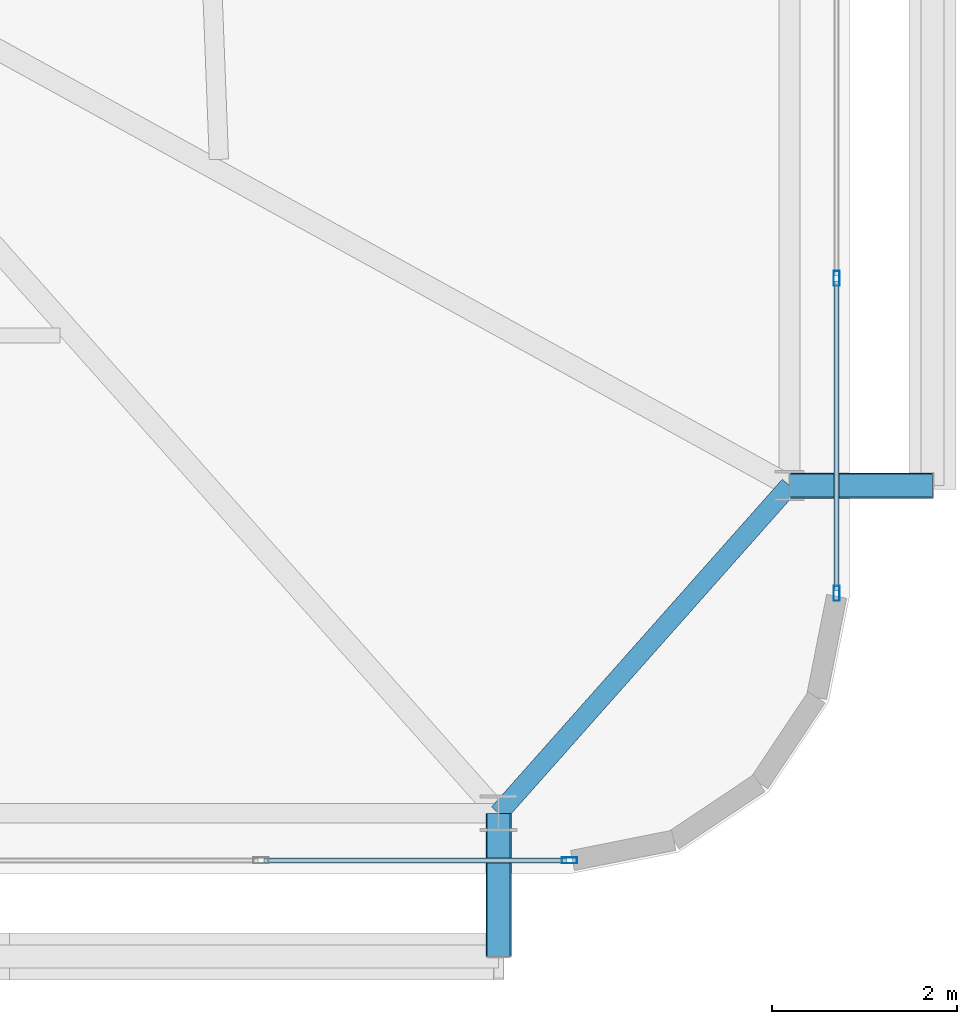
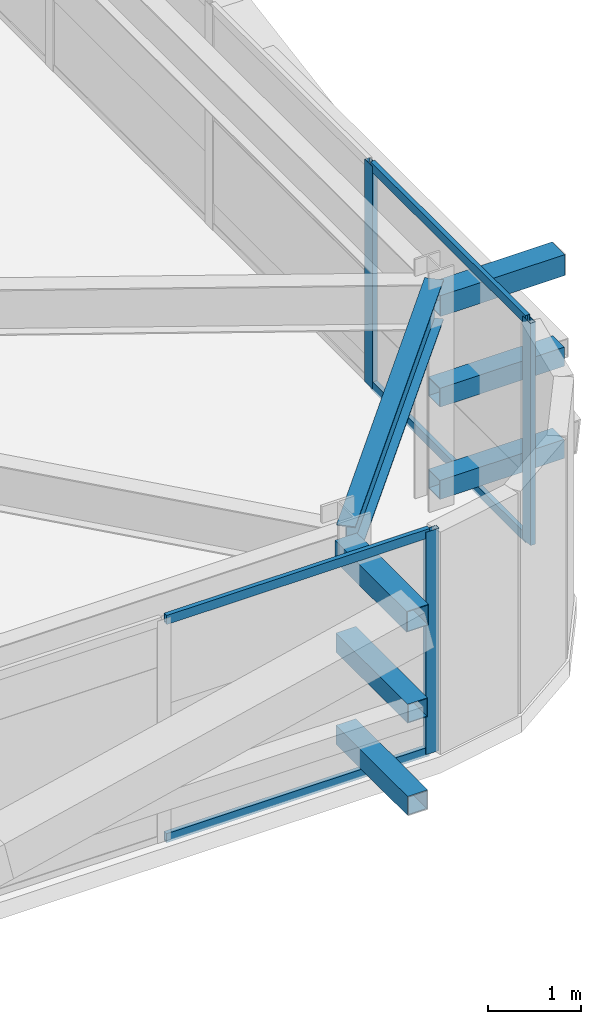
# One storey, part 24 of 59: 13 members, 1 beam, 2 elements without a shape of their own.
"""IFC4 building model written with IfcOpenShell, lengths in metres."""

from ifc_helpers import new_model, si_unit, direction, frame, origin, origin_2d, place, context, subcontext, project, spatial, hollow_rectangle, i_section, extrude, source, transform, mapped, material, layer, layer_set, material_profile, profile_set, type_object, element, aggregate, save


model = new_model("IFC4")

# Units and contexts
model_context = context("Model", 3, precision=1e-05, world=origin(), true_north=direction((0.0, 1.0)))
body_context = subcontext(model_context, "Body", "Model", "MODEL_VIEW")
ifc_project = project(units=[si_unit("LENGTHUNIT", "METRE"), si_unit("AREAUNIT", "SQUARE_METRE"), si_unit("VOLUMEUNIT", "CUBIC_METRE"), si_unit("PLANEANGLEUNIT", "RADIAN"), si_unit("MASSUNIT", "GRAM", prefix="KILO")], contexts=[model_context])

# Site, building, storey
site_placement = place(None, origin())
site = spatial("IfcSite", under=ifc_project, at=site_placement, CompositionType="ELEMENT")
building_placement = place(site_placement, origin())
building = spatial("IfcBuilding", under=site, at=building_placement, Name="Taldren Reach Tower", CompositionType="ELEMENT")
storey_placement = place(building_placement, frame((0.0, 0.0, 48.300048828125)))
storey = spatial("IfcBuildingStorey", under=building, at=storey_placement, Name="L14", CompositionType="ELEMENT", Elevation=48.300048828125)

# Beam
ifc_material_1 = material(Name="Steel Gr 350 (350PLUS)", Category="steel")
ifc_material_profile_1 = material_profile(ifc_material_1, i_section(OverallWidth=0.208984375, OverallDepth=0.528076171875, WebThickness=0.009521484375, FlangeThickness=0.01318359375, at=origin_2d()), Name="530UB82.0")
ifc_profile_set_1 = profile_set([ifc_material_profile_1], Name="Steel Gr 350 (350PLUS)")
beam_type = type_object("IfcBeamType", Name="SP-UB530B", PredefinedType="SPANDREL", material=ifc_profile_set_1)
shared_shape_1 = source(origin(), body_context, "Body", "SweptSolid", [
    extrude(i_section(OverallWidth=0.208984375, OverallDepth=0.528076171875, WebThickness=0.009521484375, FlangeThickness=0.01318359375, at=origin_2d()), origin(), (0.0, 0.0, 1.0), 4.74609375),
])
beam_placement = place(storey_placement, frame((61.199951171875, 2.14990234375, 2.666015625), z_axis=(0.663721843779, 0.747979487747, 0.0), x_axis=(-0.747979487747, 0.663721843779, 0.0)))
element("IfcBeam", 1, at=beam_placement, inside=storey, type_object=beam_type, Name="Perimeter spandrel B1 S6-E1 L14", PredefinedType="SPANDREL", context=body_context, shape_type="MappedRepresentation", body=[
    mapped(shared_shape_1, transform((0.0, 0.0, 0.0), scale=1.0)),
])

# Members
ifc_material_2 = material(Name="Steel Gr 450 (C450L0)", Category="steel")
ifc_material_profile_2 = material_profile(ifc_material_2, hollow_rectangle(XDim=0.27490234375, YDim=0.27490234375, WallThickness=0.00927734375, at=origin_2d()), Name="275x275x9.3SHS")
ifc_profile_set_2 = profile_set([ifc_material_profile_2], Name="Steel Gr 450 (C450L0)")
member_type_1 = type_object("IfcMemberType", Name="MB-TIE273", PredefinedType="STRUT", material=ifc_profile_set_2)
shared_shape_2 = source(origin(), body_context, "Body", "SweptSolid", [
    extrude(hollow_rectangle(XDim=0.27490234375, YDim=0.27490234375, WallThickness=0.00927734375, at=origin_2d()), origin(), (0.0, 0.0, 1.0), 1.5498046875),
])
for number, where, z_axis, x_axis, name in (
    (2, (61.199951171875, 2.14990234375, 2.64990234375), (0.0, -1.0, 0.0), (1.0, 0.0, 0.0), "Exoskeleton diaphragm tie strut B1-S6 L14"),
    (3, (64.35009765625, 5.699951171875, 2.64990234375), (1.0, 0.0, 0.0), (0.0, 1.0, 0.0), "Exoskeleton diaphragm tie strut B1-E1 L14"),
):
    element("IfcMember", number, at=place(storey_placement, frame(where, z_axis=z_axis, x_axis=x_axis)), inside=storey, type_object=member_type_1, Name=name, PredefinedType="STRUT", context=body_context, shape_type="MappedRepresentation", body=[
        mapped(shared_shape_2, transform((0.0, 0.0, 0.0), scale=1.0)),
    ])
ifc_material_3 = material(Name="Steel Gr 350 (C350L0)", Category="steel")
ifc_material_profile_3 = material_profile(ifc_material_3, hollow_rectangle(XDim=0.25, YDim=0.25, WallThickness=0.010009765625, at=origin_2d()), Name="250x250x10.0SHS")
ifc_profile_set_3 = profile_set([ifc_material_profile_3], Name="Steel Gr 350 (C350L0)")
member_type_2 = type_object("IfcMemberType", Name="MB-POST250", PredefinedType="POST", material=ifc_profile_set_3)
shared_shape_3 = source(origin(), body_context, "Body", "SweptSolid", [
    extrude(hollow_rectangle(XDim=0.25, YDim=0.25, WallThickness=0.010009765625, at=origin_2d()), origin(), (0.0, 0.0, 1.0), 1.5498046875),
])
for number, where, z_axis, x_axis, name in (
    (4, (61.199951171875, 2.14990234375, 0.219970703125), (0.0, -1.0, 0.0), (1.0, 0.0, 0.0), "Exoskeleton base diaphragm tie strut B1-S6 L14"),
    (5, (64.35009765625, 5.699951171875, 0.219970703125), (1.0, 0.0, 0.0), (0.0, 1.0, 0.0), "Exoskeleton base diaphragm tie strut B1-E1 L14"),
    (6, (61.199951171875, 2.14990234375, 1.43505859375), (0.0, -1.0, 0.0), (1.0, 0.0, 0.0), "Exoskeleton mid-tier diaphragm tie B1-S6 L14"),
    (7, (64.35009765625, 5.699951171875, 1.43505859375), (1.0, 0.0, 0.0), (0.0, 1.0, 0.0), "Exoskeleton mid-tier diaphragm tie B1-E1 L14"),
):
    element("IfcMember", number, at=place(storey_placement, frame(where, z_axis=z_axis, x_axis=x_axis)), inside=storey, type_object=member_type_2, Name=name, PredefinedType="POST", context=body_context, shape_type="MappedRepresentation", body=[
        mapped(shared_shape_3, transform((0.0, 0.0, 0.0), scale=1.0)),
    ])

# Curtain wall, member
ifc_material_4 = material(Name="Aluminium and Low-E Glass Unitised System", Category="aluminium")
ifc_layer = layer(ifc_material_4, 0.159912109375)
ifc_layer_set = layer_set([ifc_layer], Name="Aluminium and Low-E Glass Unitised System")
curtain_wall_type = type_object("IfcCurtainWallType", Name="CW-SYS-2", PredefinedType="NOTDEFINED", material=ifc_layer_set)
curtain_wall_1_placement = place(storey_placement, origin())
curtain_wall_1 = element("IfcCurtainWall", 8, at=curtain_wall_1_placement, inside=storey, type_object=curtain_wall_type, Name="Unitised curtain wall CW-L14-S", PredefinedType="NOTDEFINED")
ifc_material_5 = material(Name="Anodised Aluminium 6063-T6", Category="aluminium")
ifc_material_profile_4 = material_profile(ifc_material_5, hollow_rectangle(XDim=0.06494140625, YDim=0.1650390625, WallThickness=0.00390625, at=origin_2d()), Name="ALU-165x65x4RHS")
ifc_profile_set_4 = profile_set([ifc_material_profile_4], Name="Anodised Aluminium 6063-T6")
member_type_3 = type_object("IfcMemberType", Name="CW-MUL-165", PredefinedType="MULLION", material=ifc_profile_set_4)
shared_shape_4 = source(origin(), body_context, "Body", "SweptSolid", [
    extrude(hollow_rectangle(XDim=0.06494140625, YDim=0.1650390625, WallThickness=0.00390625, at=origin_2d()), origin(), (0.0, 0.0, 1.0), 2.929931640625),
])
member_1_placement = place(storey_placement, frame((61.967529296875, 1.639892578125, 0.0), z_axis=(0.0, 0.0, 1.0), x_axis=(0.0, 1.0, 0.0)))
member_1 = element("IfcMember", 9, at=member_1_placement, type_object=member_type_3, Name="CW-2 mullion 17", PredefinedType="MULLION", context=body_context, shape_type="MappedRepresentation", body=[
    mapped(shared_shape_4, transform((0.0, 0.0, 0.0), scale=1.0)),
])

# Curtain wall, members
curtain_wall_2_placement = place(storey_placement, origin())
curtain_wall_2 = element("IfcCurtainWall", 10, at=curtain_wall_2_placement, inside=storey, type_object=curtain_wall_type, Name="Unitised curtain wall CW-L14-E", PredefinedType="NOTDEFINED")
member_2_placement = place(storey_placement, frame((64.860107421875, 4.532470703125, 0.0), z_axis=(0.0, 0.0, 1.0), x_axis=(-1.0, 0.0, 0.0)))
member_2 = element("IfcMember", 11, at=member_2_placement, type_object=member_type_3, Name="CW-2 mullion 1", PredefinedType="MULLION", context=body_context, shape_type="MappedRepresentation", body=[
    mapped(shared_shape_4, transform((0.0, 0.0, 0.0), scale=1.0)),
])
member_3_placement = place(storey_placement, frame((64.860107421875, 7.9443359375, 0.0), z_axis=(0.0, 0.0, 1.0), x_axis=(-1.0, 0.0, 0.0)))
member_3 = element("IfcMember", 12, at=member_3_placement, type_object=member_type_3, Name="CW-2 mullion 2", PredefinedType="MULLION", context=body_context, shape_type="MappedRepresentation", body=[
    mapped(shared_shape_4, transform((0.0, 0.0, 0.0), scale=1.0)),
])

# Member
ifc_material_profile_5 = material_profile(ifc_material_5, hollow_rectangle(XDim=0.054931640625, YDim=0.1201171875, WallThickness=0.0029296875, at=origin_2d()), Name="ALU-120x55x3RHS")
ifc_profile_set_5 = profile_set([ifc_material_profile_5], Name="Anodised Aluminium 6063-T6")
member_type_4 = type_object("IfcMemberType", Name="CW-TRN-135", PredefinedType="USERDEFINED", material=ifc_profile_set_5)
shared_shape_5 = source(origin(), body_context, "Body", "SweptSolid", [
    extrude(hollow_rectangle(XDim=0.054931640625, YDim=0.1201171875, WallThickness=0.0029296875, at=origin_2d()), origin(), (0.0, 0.0, 1.0), 3.277587890625),
])
member_4_placement = place(storey_placement, frame((58.657470703125, 1.639892578125, 0.02734375), z_axis=(1.0, 0.0, 0.0), x_axis=(0.0, 1.0, 0.0)))
member_4 = element("IfcMember", 13, at=member_4_placement, type_object=member_type_4, Name="CW-2 transom 16.1", ObjectType="TRANSOM", PredefinedType="USERDEFINED", context=body_context, shape_type="MappedRepresentation", body=[
    mapped(shared_shape_5, transform((0.0, 0.0, 0.0), scale=1.0)),
])

member_5_placement = place(storey_placement, frame((58.657470703125, 1.639892578125, 2.90234375), z_axis=(1.0, 0.0, 0.0), x_axis=(0.0, 1.0, 0.0)))
member_5 = element("IfcMember", 14, at=member_5_placement, type_object=member_type_4, Name="CW-2 transom 16.2", ObjectType="TRANSOM", PredefinedType="USERDEFINED", context=body_context, shape_type="MappedRepresentation", body=[
    mapped(shared_shape_5, transform((0.0, 0.0, 0.0), scale=1.0)),
])

aggregate(curtain_wall_1, [member_1, member_4, member_5])

shared_shape_6 = source(origin(), body_context, "Body", "SweptSolid", [
    extrude(hollow_rectangle(XDim=0.054931640625, YDim=0.1201171875, WallThickness=0.0029296875, at=origin_2d()), origin(), (0.0, 0.0, 1.0), 3.346923828125),
])
member_6_placement = place(storey_placement, frame((64.860107421875, 4.56494140625, 0.02734375), z_axis=(0.0, 1.0, 0.0), x_axis=(-1.0, 0.0, 0.0)))
member_6 = element("IfcMember", 15, at=member_6_placement, type_object=member_type_4, Name="CW-2 transom 1.1", ObjectType="TRANSOM", PredefinedType="USERDEFINED", context=body_context, shape_type="MappedRepresentation", body=[
    mapped(shared_shape_6, transform((0.0, 0.0, 0.0), scale=1.0)),
])

member_7_placement = place(storey_placement, frame((64.860107421875, 4.56494140625, 2.90234375), z_axis=(0.0, 1.0, 0.0), x_axis=(-1.0, 0.0, 0.0)))
member_7 = element("IfcMember", 16, at=member_7_placement, type_object=member_type_4, Name="CW-2 transom 1.2", ObjectType="TRANSOM", PredefinedType="USERDEFINED", context=body_context, shape_type="MappedRepresentation", body=[
    mapped(shared_shape_6, transform((0.0, 0.0, 0.0), scale=1.0)),
])

aggregate(curtain_wall_2, [member_2, member_3, member_6, member_7])

save(model, "model.ifc")
